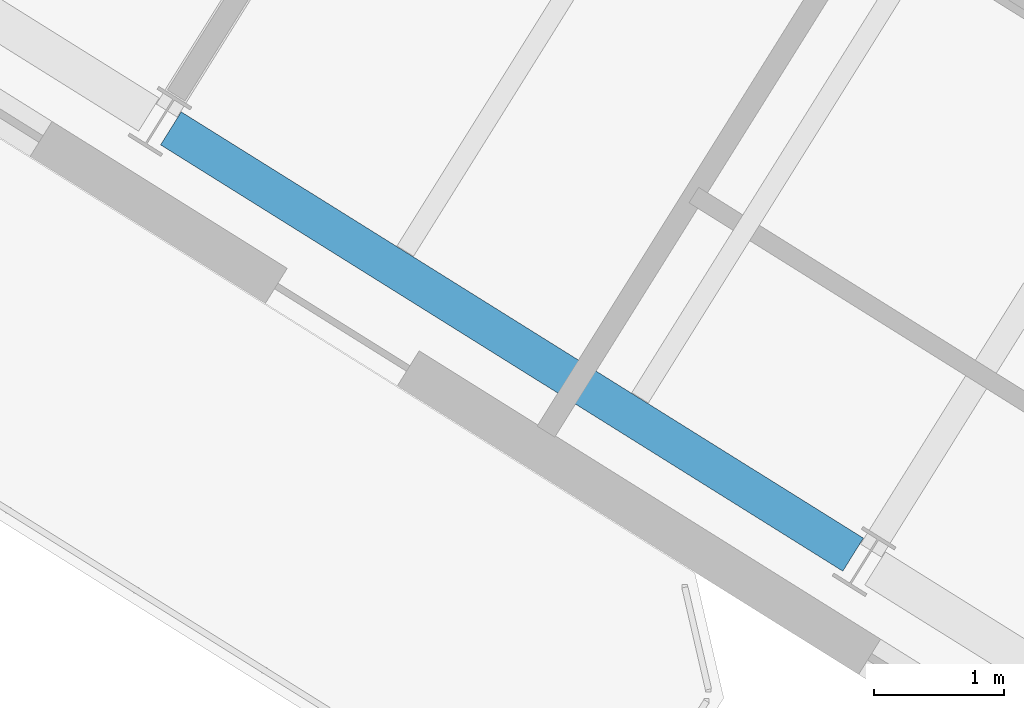
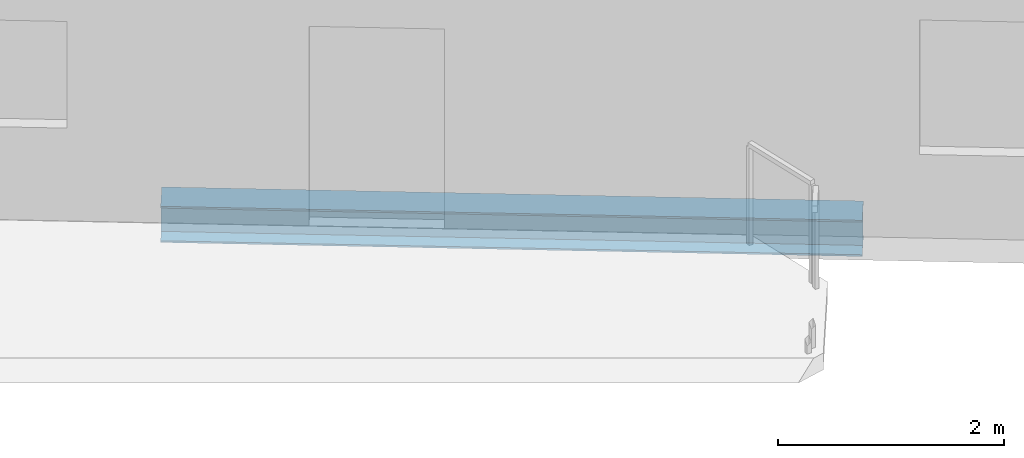
# One storey, part 5 of 25: 1 beam.
"""IFC4 building model written with IfcOpenShell, lengths in metres."""

from ifc_helpers import new_model, si_unit, direction, frame, origin, origin_2d, place, context, subcontext, project, spatial, i_section, extrude, source, transform, mapped, material, material_profile, profile_set, type_object, element, save


model = new_model("IFC4")

# Units and contexts
model_context = context("Model", 3, precision=1e-05, world=origin(), true_north=direction((0.0, 1.0)))
body_context = subcontext(model_context, "Body", "Model", "MODEL_VIEW")
ifc_project = project(units=[si_unit("LENGTHUNIT", "METRE"), si_unit("AREAUNIT", "SQUARE_METRE"), si_unit("VOLUMEUNIT", "CUBIC_METRE"), si_unit("PLANEANGLEUNIT", "RADIAN"), si_unit("MASSUNIT", "GRAM", prefix="KILO")], contexts=[model_context])

# Site, building, storey
site_placement = place(None, origin())
site = spatial("IfcSite", under=ifc_project, at=site_placement, CompositionType="ELEMENT")
building_placement = place(site_placement, origin())
building = spatial("IfcBuilding", under=site, at=building_placement, Name="Tlacorven Tower", CompositionType="ELEMENT")
storey_placement = place(building_placement, frame((0.0, 0.0, 259.199951171875)))
storey = spatial("IfcBuildingStorey", under=building, at=storey_placement, Name="L65", CompositionType="ELEMENT", Elevation=259.199951171875)

# Beam
ifc_material = material(Name="Steel S355J2", Category="steel")
ifc_material_profile = material_profile(ifc_material, i_section(OverallWidth=0.300048828125, OverallDepth=0.389892578125, WebThickness=0.010986328125, FlangeThickness=0.01904296875, at=origin_2d()), Name="HEA 400")
ifc_profile_set = profile_set([ifc_material_profile], Name="Steel S355J2")
beam_type = type_object("IfcBeamType", Name="BM-SPN-400", PredefinedType="SPANDREL", material=ifc_profile_set)
shared_shape = source(origin(), body_context, "Body", "SweptSolid", [
    extrude(i_section(OverallWidth=0.300048828125, OverallDepth=0.389892578125, WebThickness=0.010986328125, FlangeThickness=0.01904296875, at=origin_2d()), origin(), (0.0, 0.0, 1.0), 6.199951171875),
])
beam_placement = place(storey_placement, frame((18.82080078125, 13.6650390625, -0.445068359375), z_axis=(-0.848051394107, 0.529913986372, 0.0), x_axis=(-0.529913986372, -0.848051394107, 0.0)))
element("IfcBeam", 1, at=beam_placement, inside=storey, type_object=beam_type, Name="L65 beam BM-L65-WL4-3", PredefinedType="SPANDREL", context=body_context, shape_type="MappedRepresentation", body=[
    mapped(shared_shape, transform((0.0, 0.0, 0.0), scale=1.0)),
])

save(model, "model.ifc")
